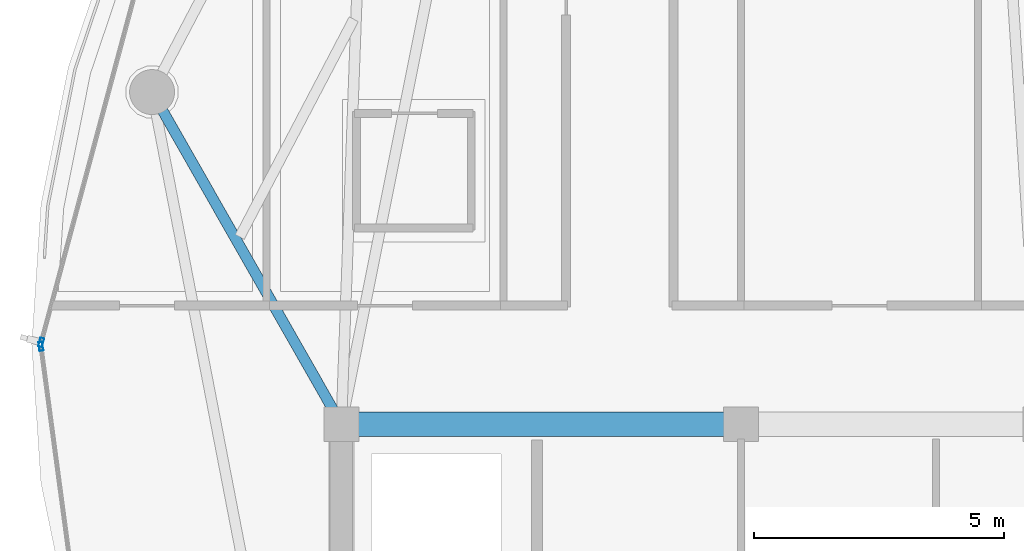
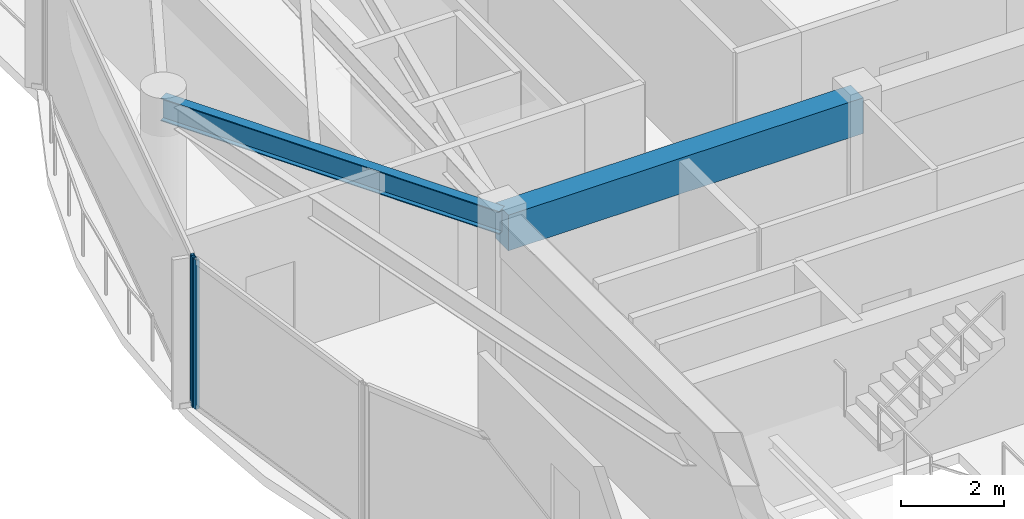
# One storey, part 8 of 23: 2 beams, 2 members, 2 elements without a shape of their own.
"""IFC4 building model written with IfcOpenShell, lengths in metres."""

from ifc_helpers import new_model, si_unit, direction, frame, origin, origin_2d, place, context, subcontext, project, spatial, rectangle, hollow_rectangle, i_section, extrude, material, layer, layer_set, material_profile, profile_set, type_object, element, aggregate, save


model = new_model("IFC4")

# Units and contexts
model_context = context("Model", 3, precision=1e-05, world=origin(), true_north=direction((0.0, 1.0)))
body_context = subcontext(model_context, "Body", "Model", "MODEL_VIEW")
ifc_project = project(units=[si_unit("LENGTHUNIT", "METRE"), si_unit("AREAUNIT", "SQUARE_METRE"), si_unit("VOLUMEUNIT", "CUBIC_METRE"), si_unit("PLANEANGLEUNIT", "RADIAN"), si_unit("MASSUNIT", "GRAM", prefix="KILO")], contexts=[model_context])

# Site, building, storey
site_placement = place(None, origin())
site = spatial("IfcSite", under=ifc_project, at=site_placement, CompositionType="ELEMENT")
building_placement = place(site_placement, origin())
building = spatial("IfcBuilding", under=site, at=building_placement, Name="Kazevale Care Tower and Concert Hall", CompositionType="ELEMENT")
storey_placement = place(building_placement, frame((0.0, 0.0, 266.199951171875)))
storey = spatial("IfcBuildingStorey", under=building, at=storey_placement, Name="L70", CompositionType="ELEMENT", Elevation=266.199951171875)

# Curtain wall, member
ifc_material_1 = material(Name="Aluminium 6063-T6 and Low-E Glass", Category="aluminium")
ifc_layer = layer(ifc_material_1, 0.179931640625)
ifc_layer_set = layer_set([ifc_layer], Name="Aluminium 6063-T6 and Low-E Glass")
curtain_wall_type = type_object("IfcCurtainWallType", Name="Waist & Upper Residential Curtain Wall CW-4", PredefinedType="NOTDEFINED", material=ifc_layer_set)
curtain_wall_1_placement = place(storey_placement, origin())
curtain_wall_1 = element("IfcCurtainWall", 1, at=curtain_wall_1_placement, inside=storey, type_object=curtain_wall_type, Name="cw:L70:f08", PredefinedType="NOTDEFINED")
ifc_material_2 = material(Name="Aluminium 6063-T6", Category="aluminium")
ifc_material_profile_1 = material_profile(ifc_material_2, hollow_rectangle(XDim=0.080078125, YDim=0.179931640625, WallThickness=0.0048828125, at=origin_2d()), Name="ALU80x180x5")
ifc_profile_set_1 = profile_set([ifc_material_profile_1], Name="Aluminium 6063-T6")
member_type = type_object("IfcMemberType", Name="CW-4 Mullion ALU80x180x5", PredefinedType="MULLION", material=ifc_profile_set_1)
member_1_placement = place(storey_placement, frame((15.9853515625, 37.96044921875, 0.0), z_axis=(0.0, 0.0, 1.0), x_axis=(-0.991083047722, -0.133245609751, 0.0)))
member_1 = element("IfcMember", 2, at=member_1_placement, type_object=member_type, Name="CW-4 mullion 2", PredefinedType="MULLION", context=body_context, shape_type="SweptSolid", body=[
    extrude(hollow_rectangle(XDim=0.080078125, YDim=0.179931640625, WallThickness=0.0048828125, at=origin_2d()), origin(), (0.0, 0.0, 1.0), 3.56005859375),
])
aggregate(curtain_wall_1, [member_1])

curtain_wall_2_placement = place(storey_placement, origin())
curtain_wall_2 = element("IfcCurtainWall", 3, at=curtain_wall_2_placement, inside=storey, type_object=curtain_wall_type, Name="cw:L70:f09", PredefinedType="NOTDEFINED")
member_2_placement = place(storey_placement, frame((15.990478515625, 38.03857421875, 0.0), z_axis=(0.0, 0.0, 1.0), x_axis=(-0.965728279922, 0.259555175944, 0.0)))
member_2 = element("IfcMember", 4, at=member_2_placement, type_object=member_type, Name="CW-4 mullion 1", PredefinedType="MULLION", context=body_context, shape_type="SweptSolid", body=[
    extrude(hollow_rectangle(XDim=0.080078125, YDim=0.179931640625, WallThickness=0.0048828125, at=origin_2d()), origin(), (0.0, 0.0, 1.0), 3.56005859375),
])
aggregate(curtain_wall_2, [member_2])

# Beams
ifc_material_3 = material(Name="Concrete C60", Category="concrete")
ifc_material_profile_2 = material_profile(ifc_material_3, rectangle(XDim=0.5, YDim=0.85009765625, at=origin_2d()), Name="RC-B500x850")
ifc_profile_set_2 = profile_set([ifc_material_profile_2], Name="Concrete C60")
beam_type_1 = type_object("IfcBeamType", Name="Core Coupling Beam RC500x850", PredefinedType="LINTEL", material=ifc_profile_set_2)
beam_1_placement = place(storey_placement, frame((30.0, 36.39990234375, 3.135009765625), z_axis=(-1.0, 0.0, 0.0), x_axis=(0.0, -1.0, 0.0)))
element("IfcBeam", 5, at=beam_1_placement, inside=storey, type_object=beam_type_1, Name="beam:L70:coretie:7", PredefinedType="LINTEL", context=body_context, shape_type="SweptSolid", body=[
    extrude(rectangle(XDim=0.5, YDim=0.85009765625, at=origin_2d()), origin(), (0.0, 0.0, 1.0), 8.0),
])
ifc_material_4 = material(Name="Steel ASTM A572 Gr 50", Category="steel")
ifc_material_profile_3 = material_profile(ifc_material_4, i_section(OverallWidth=0.2119140625, OverallDepth=0.5439453125, WebThickness=0.01318359375, FlangeThickness=0.021240234375, at=origin_2d()), Name="W530x123")
ifc_profile_set_3 = profile_set([ifc_material_profile_3], Name="Steel ASTM A572 Gr 50")
beam_type_2 = type_object("IfcBeamType", Name="Radial Floor Girder W530x123", PredefinedType="BEAM", material=ifc_profile_set_3)
beam_2_placement = place(storey_placement, frame((22.0, 36.39990234375, 3.2880859375), z_axis=(-0.495149357892, 0.868807869082, 0.0), x_axis=(-0.868807869082, -0.495149357892, 0.0)))
element("IfcBeam", 6, at=beam_2_placement, inside=storey, type_object=beam_type_2, Name="beam:L70:rad:09", PredefinedType="BEAM", context=body_context, shape_type="SweptSolid", body=[
    extrude(i_section(OverallWidth=0.2119140625, OverallDepth=0.5439453125, WebThickness=0.01318359375, FlangeThickness=0.021240234375, at=origin_2d()), origin(), (0.0, 0.0, 1.0), 7.654296875),
])

save(model, "model.ifc")
